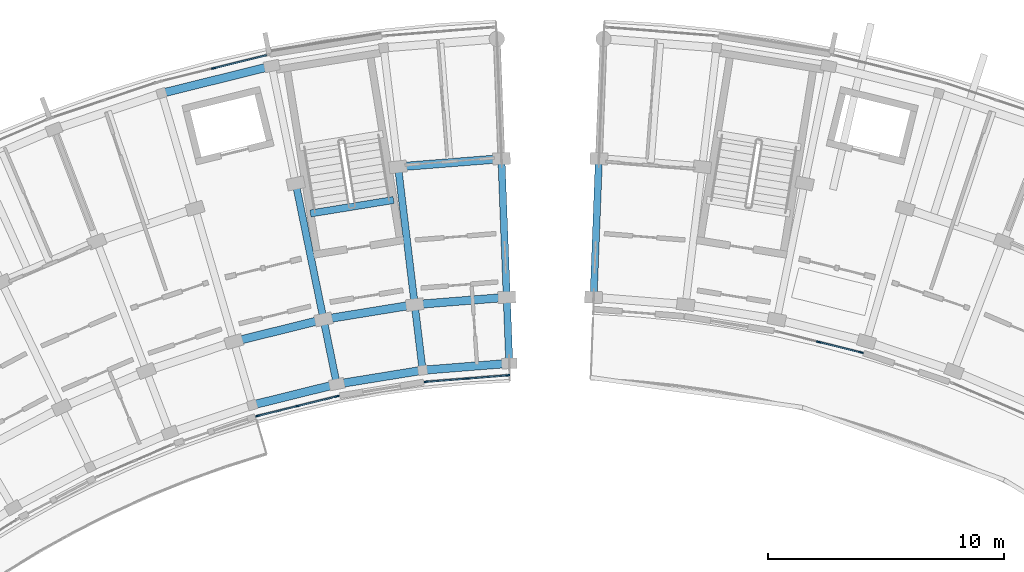
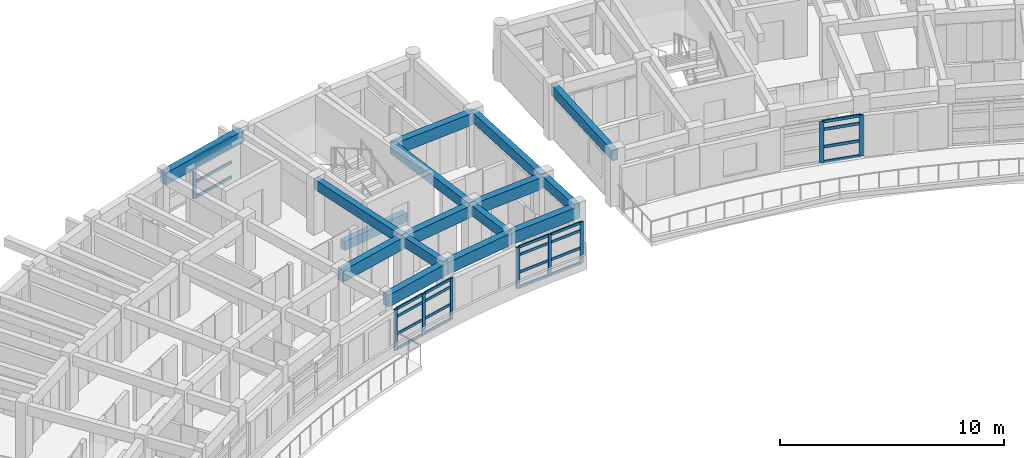
# One storey, part 5 of 38: 33 members, 16 beams, 4 elements without a shape of their own.
"""IFC4 building model written with IfcOpenShell, lengths in metres."""

from ifc_helpers import new_model, si_unit, direction, frame, origin, origin_2d, place, context, subcontext, project, spatial, rectangle, extrude, material, material_profile, profile_set, type_object, element, aggregate, save


model = new_model("IFC4")

# Units and contexts
model_context = context("Model", 3, precision=1e-05, world=origin(), true_north=direction((0.0, 1.0)))
body_context = subcontext(model_context, "Body", "Model", "MODEL_VIEW")
ifc_project = project(units=[si_unit("LENGTHUNIT", "METRE"), si_unit("AREAUNIT", "SQUARE_METRE"), si_unit("VOLUMEUNIT", "CUBIC_METRE"), si_unit("PLANEANGLEUNIT", "RADIAN"), si_unit("MASSUNIT", "GRAM", prefix="KILO")], contexts=[model_context])

# Site, building, storey
site_placement = place(None, origin())
site = spatial("IfcSite", under=ifc_project, at=site_placement, CompositionType="ELEMENT")
building_placement = place(site_placement, origin())
building = spatial("IfcBuilding", under=site, at=building_placement, Name="Zimvara Arc Housing Community", CompositionType="ELEMENT")
storey_placement = place(building_placement, frame((0.0, 0.0, 29.800048828125)))
storey = spatial("IfcBuildingStorey", under=building, at=storey_placement, Name="L09", CompositionType="ELEMENT", Elevation=29.800048828125)

# Beams
ifc_material_1 = material(Name="Concrete C40/50", Category="concrete")
ifc_material_profile_1 = material_profile(ifc_material_1, rectangle(XDim=0.300048828125, YDim=0.5, at=origin_2d()), Name="RC 300x500")
ifc_profile_set_1 = profile_set([ifc_material_profile_1], Name="Concrete C40/50")
beam_type_1 = type_object("IfcBeamType", Name="BM-RC-300x500", PredefinedType="BEAM", material=ifc_profile_set_1)
beam_1_placement = place(storey_placement, frame((38.3662109375, 96.509033203125, -0.25), z_axis=(-0.987080057935, -0.160227835371, 0.0), x_axis=(0.160227835371, -0.987080057935, 0.0)))
element("IfcBeam", 1, at=beam_1_placement, inside=storey, type_object=beam_type_1, Name="bm:stair_trim:ST-A2:L09:near", PredefinedType="BEAM", context=body_context, shape_type="SweptSolid", body=[
    extrude(rectangle(XDim=0.300048828125, YDim=0.5, at=origin_2d()), origin(), (0.0, 0.0, 1.0), 3.570068359375),
])
ifc_material_2 = material(Name="Concrete C40/50", Category="concrete")
ifc_material_profile_2 = material_profile(ifc_material_2, rectangle(XDim=0.300048828125, YDim=0.550048828125, at=origin_2d()), Name="RC 300x550")
ifc_profile_set_2 = profile_set([ifc_material_profile_2], Name="Concrete C40/50")
beam_type_2 = type_object("IfcBeamType", Name="BM-RC-300x550", PredefinedType="BEAM", material=ifc_profile_set_2)
beam_2_placement = place(storey_placement, frame((35.958251953125, 88.704833984375, 2.5849609375), z_axis=(-0.20037341071, 0.979719600845, 0.0), x_axis=(-0.979719600845, -0.20037341071, 0.0)))
element("IfcBeam", 2, at=beam_2_placement, inside=storey, type_object=beam_type_2, Name="bm:blkA:L09:rad:b8:r01", PredefinedType="BEAM", context=body_context, shape_type="SweptSolid", body=[
    extrude(rectangle(XDim=0.300048828125, YDim=0.550048828125, at=origin_2d()), origin(), (0.0, 0.0, 1.0), 2.800048828125),
])
beam_3_placement = place(storey_placement, frame((35.397216796875, 91.447998046875, 2.5849609375), z_axis=(-0.200417973989, 0.979710485655, 0.0), x_axis=(-0.979710485655, -0.200417973989, 0.0)))
element("IfcBeam", 3, at=beam_3_placement, inside=storey, type_object=beam_type_2, Name="bm:blkA:L09:rad:b8:r12", PredefinedType="BEAM", context=body_context, shape_type="SweptSolid", body=[
    extrude(rectangle(XDim=0.300048828125, YDim=0.550048828125, at=origin_2d()), origin(), (0.0, 0.0, 1.0), 5.880126953125),
])
beam_4_placement = place(storey_placement, frame((39.594970703125, 89.295166015625, 2.5849609375), z_axis=(-0.119719398078, 0.992807768767, 0.0), x_axis=(-0.992807768767, -0.119719398078, 0.0)))
element("IfcBeam", 4, at=beam_4_placement, inside=storey, type_object=beam_type_2, Name="bm:blkA:L09:rad:b9:r01", PredefinedType="BEAM", context=body_context, shape_type="SweptSolid", body=[
    extrude(rectangle(XDim=0.300048828125, YDim=0.550048828125, at=origin_2d()), origin(), (0.0, 0.0, 1.0), 2.7998046875),
])
beam_5_placement = place(storey_placement, frame((39.259765625, 92.074951171875, 2.5849609375), z_axis=(-0.119827921695, 0.992794676246, 0.0), x_axis=(-0.992794676246, -0.119827921695, 0.0)))
element("IfcBeam", 5, at=beam_5_placement, inside=storey, type_object=beam_type_2, Name="bm:blkA:L09:rad:b9:r12", PredefinedType="BEAM", context=body_context, shape_type="SweptSolid", body=[
    extrude(rectangle(XDim=0.300048828125, YDim=0.550048828125, at=origin_2d()), origin(), (0.0, 0.0, 1.0), 5.880126953125),
])
beam_6_placement = place(storey_placement, frame((43.267822265625, 89.586669921875, 2.5849609375), z_axis=(-0.038362804793, 0.999263876665, 0.0), x_axis=(-0.999263876665, -0.038362804793, 0.0)))
element("IfcBeam", 6, at=beam_6_placement, inside=storey, type_object=beam_type_2, Name="bm:blkA:L09:rad:b10:r01", PredefinedType="BEAM", context=body_context, shape_type="SweptSolid", body=[
    extrude(rectangle(XDim=0.300048828125, YDim=0.550048828125, at=origin_2d()), origin(), (0.0, 0.0, 1.0), 2.800048828125),
])
for number, where, z_axis, x_axis, name in (
    (7, (43.160400390625, 92.384765625, 2.5849609375), (-0.038366147405, 0.999263748333, 0.0), (-0.999263748333, -0.038366147405, 0.0), "bm:blkA:L09:rad:b10:r12"),
    (8, (46.839599609375, 92.384765625, 2.5849609375), (0.038366147405, 0.999263748333, 0.0), (-0.999263748333, 0.038366147405, 0.0), "bm:blkB:L09:rad:b0:r12"),
):
    element("IfcBeam", number, at=place(storey_placement, frame(where, z_axis=z_axis, x_axis=x_axis)), inside=storey, type_object=beam_type_2, Name=name, PredefinedType="BEAM", context=body_context, shape_type="SweptSolid", body=[
        extrude(rectangle(XDim=0.300048828125, YDim=0.550048828125, at=origin_2d()), origin(), (0.0, 0.0, 1.0), 5.8798828125),
    ])
ifc_material_3 = material(Name="Concrete C40/50", Category="concrete")
ifc_material_profile_3 = material_profile(ifc_material_3, rectangle(XDim=0.35009765625, YDim=0.64990234375, at=origin_2d()), Name="RC 350x650")
ifc_profile_set_3 = profile_set([ifc_material_profile_3], Name="Concrete C40/50")
beam_type_3 = type_object("IfcBeamType", Name="BM-RC-350x650", PredefinedType="BEAM", material=ifc_profile_set_3)
beam_7_placement = place(storey_placement, frame((32.381591796875, 87.819580078125, 2.534912109375), z_axis=(0.970708886215, 0.240258731837, 0.0), x_axis=(-0.240258731837, 0.970708886215, 0.0)))
element("IfcBeam", 9, at=beam_7_placement, inside=storey, type_object=beam_type_3, Name="bm:blkA:L09:chord:r0:b7", PredefinedType="BEAM", context=body_context, shape_type="SweptSolid", body=[
    extrude(rectangle(XDim=0.35009765625, YDim=0.64990234375, at=origin_2d()), origin(), (0.0, 0.0, 1.0), 3.6845703125),
])
for number, where, z_axis, x_axis, name in (
    (10, (35.958251953125, 88.704833984375, 2.534912109375), (0.987079996944, 0.160228211104, 0.0), (-0.160228211104, 0.987079996944, 0.0), "bm:blkA:L09:chord:r0:b8"),
    (11, (39.594970703125, 89.295166015625, 2.534912109375), (0.996865226667, 0.079118391428, 0.0), (-0.079118391428, 0.996865226667, 0.0), "bm:blkA:L09:chord:r0:b9"),
):
    element("IfcBeam", number, at=place(storey_placement, frame(where, z_axis=z_axis, x_axis=x_axis)), inside=storey, type_object=beam_type_3, Name=name, PredefinedType="BEAM", context=body_context, shape_type="SweptSolid", body=[
        extrude(rectangle(XDim=0.35009765625, YDim=0.64990234375, at=origin_2d()), origin(), (0.0, 0.0, 1.0), 3.684326171875),
    ])
for number, where, z_axis, x_axis, name in (
    (12, (31.5986328125, 90.5078125, 2.534912109375), (0.970708671682, 0.240259598602, 0.0), (-0.240259598602, 0.970708671682, 0.0), "bm:blkA:L09:chord:r1:b7"),
    (13, (35.397216796875, 91.447998046875, 2.534912109375), (0.987081487371, 0.160219029111, 0.0), (-0.160219029111, 0.987081487371, 0.0), "bm:blkA:L09:chord:r1:b8"),
):
    element("IfcBeam", number, at=place(storey_placement, frame(where, z_axis=z_axis, x_axis=x_axis)), inside=storey, type_object=beam_type_3, Name=name, PredefinedType="BEAM", context=body_context, shape_type="SweptSolid", body=[
        extrude(rectangle(XDim=0.35009765625, YDim=0.64990234375, at=origin_2d()), origin(), (0.0, 0.0, 1.0), 3.9130859375),
    ])
beam_8_placement = place(storey_placement, frame((39.259765625, 92.074951171875, 2.534912109375), z_axis=(0.99686054795, 0.079177319606, 0.0), x_axis=(-0.079177319606, 0.99686054795, 0.0)))
element("IfcBeam", 14, at=beam_8_placement, inside=storey, type_object=beam_type_3, Name="bm:blkA:L09:chord:r1:b9", PredefinedType="BEAM", context=body_context, shape_type="SweptSolid", body=[
    extrude(rectangle(XDim=0.35009765625, YDim=0.64990234375, at=origin_2d()), origin(), (0.0, 0.0, 1.0), 3.912841796875),
])
beam_9_placement = place(storey_placement, frame((38.55517578125, 97.91259765625, 2.534912109375), z_axis=(0.996864209836, 0.079131202119, 0.0), x_axis=(-0.079131202119, 0.996864209836, 0.0)))
element("IfcBeam", 15, at=beam_9_placement, inside=storey, type_object=beam_type_3, Name="bm:blkA:L09:chord:r2:b9", PredefinedType="BEAM", context=body_context, shape_type="SweptSolid", body=[
    extrude(rectangle(XDim=0.35009765625, YDim=0.64990234375, at=origin_2d()), origin(), (0.0, 0.0, 1.0), 4.393310546875),
])
beam_10_placement = place(storey_placement, frame((28.533447265625, 101.030517578125, 2.534912109375), z_axis=(0.970716235341, 0.240229037474, 0.0), x_axis=(-0.240229037474, 0.970716235341, 0.0)))
element("IfcBeam", 16, at=beam_10_placement, inside=storey, type_object=beam_type_3, Name="bm:blkA:L09:chord:r3:b7", PredefinedType="BEAM", context=body_context, shape_type="SweptSolid", body=[
    extrude(rectangle(XDim=0.35009765625, YDim=0.64990234375, at=origin_2d()), origin(), (0.0, 0.0, 1.0), 4.80810546875),
])

# Curtain wall, members
ifc_material_4 = material(Name="Anodised Aluminium AW-6063", Category="aluminium")
curtain_wall_type_1 = type_object("IfcCurtainWallType", Name="CW-SYS-06", PredefinedType="USERDEFINED", material=ifc_material_4)
curtain_wall_1_placement = place(storey_placement, origin())
curtain_wall_1 = element("IfcCurtainWall", 17, at=curtain_wall_1_placement, inside=storey, type_object=curtain_wall_type_1, Name="cw:blkA:L09:in:b7", ObjectType="CURTAIN WALL", PredefinedType="USERDEFINED")
ifc_material_5 = material(Name="Anodised Aluminium AW-6063", Category="aluminium")
ifc_material_profile_4 = material_profile(ifc_material_5, rectangle(XDim=0.06494140625, YDim=0.179931640625, at=origin_2d()), Name="ALU 65x180")
ifc_profile_set_4 = profile_set([ifc_material_profile_4], Name="Anodised Aluminium AW-6063")
member_type_1 = type_object("IfcMemberType", Name="CWM-65x150", PredefinedType="MULLION", material=ifc_profile_set_4)
member_1_placement = place(storey_placement, frame((32.611328125, 87.36181640625, 0.0), z_axis=(0.0, 0.0, 1.0), x_axis=(-0.240227815706, 0.970716537698, 0.0)))
member_1 = element("IfcMember", 18, at=member_1_placement, type_object=member_type_1, Name="CW06 mullion 1", PredefinedType="MULLION", context=body_context, shape_type="SweptSolid", body=[
    extrude(rectangle(XDim=0.06494140625, YDim=0.179931640625, at=origin_2d()), origin(), (0.0, 0.0, 1.0), 2.25),
])
member_2_placement = place(storey_placement, frame((34.2900390625, 87.77734375, 0.0), z_axis=(0.0, 0.0, 1.0), x_axis=(-0.240227815706, 0.970716537698, 0.0)))
member_2 = element("IfcMember", 19, at=member_2_placement, type_object=member_type_1, Name="CW06 mullion 2", PredefinedType="MULLION", context=body_context, shape_type="SweptSolid", body=[
    extrude(rectangle(XDim=0.06494140625, YDim=0.179931640625, at=origin_2d()), origin(), (0.0, 0.0, 1.0), 2.25),
])
member_3_placement = place(storey_placement, frame((35.96875, 88.192626953125, 0.0), z_axis=(0.0, 0.0, 1.0), x_axis=(-0.240227815706, 0.970716537698, 0.0)))
member_3 = element("IfcMember", 20, at=member_3_placement, type_object=member_type_1, Name="CW06 mullion 3", PredefinedType="MULLION", context=body_context, shape_type="SweptSolid", body=[
    extrude(rectangle(XDim=0.06494140625, YDim=0.179931640625, at=origin_2d()), origin(), (0.0, 0.0, 1.0), 2.25),
])

ifc_material_6 = material(Name="Anodised Aluminium AW-6063", Category="aluminium")
curtain_wall_type_2 = type_object("IfcCurtainWallType", Name="CW-SYS-08", PredefinedType="USERDEFINED", material=ifc_material_6)
curtain_wall_2_placement = place(storey_placement, origin())
curtain_wall_2 = element("IfcCurtainWall", 21, at=curtain_wall_2_placement, inside=storey, type_object=curtain_wall_type_2, Name="cw:blkA:L09:in:b9", ObjectType="CURTAIN WALL", PredefinedType="USERDEFINED")
member_4_placement = place(storey_placement, frame((39.7470703125, 88.805908203125, 0.0), z_axis=(0.0, 0.0, 1.0), x_axis=(-0.079154709897, 0.996862343506, 0.0)))
member_4 = element("IfcMember", 22, at=member_4_placement, type_object=member_type_1, Name="CW08 mullion 1", PredefinedType="MULLION", context=body_context, shape_type="SweptSolid", body=[
    extrude(rectangle(XDim=0.06494140625, YDim=0.179931640625, at=origin_2d()), origin(), (0.0, 0.0, 1.0), 2.25),
])
member_5_placement = place(storey_placement, frame((41.470947265625, 88.94287109375, 0.0), z_axis=(0.0, 0.0, 1.0), x_axis=(-0.079154709897, 0.996862343506, 0.0)))
member_5 = element("IfcMember", 23, at=member_5_placement, type_object=member_type_1, Name="CW08 mullion 2", PredefinedType="MULLION", context=body_context, shape_type="SweptSolid", body=[
    extrude(rectangle(XDim=0.06494140625, YDim=0.179931640625, at=origin_2d()), origin(), (0.0, 0.0, 1.0), 2.25),
])
member_6_placement = place(storey_placement, frame((43.19482421875, 89.079833984375, 0.0), z_axis=(0.0, 0.0, 1.0), x_axis=(-0.079154709897, 0.996862343506, 0.0)))
member_6 = element("IfcMember", 24, at=member_6_placement, type_object=member_type_1, Name="CW08 mullion 3", PredefinedType="MULLION", context=body_context, shape_type="SweptSolid", body=[
    extrude(rectangle(XDim=0.06494140625, YDim=0.179931640625, at=origin_2d()), origin(), (0.0, 0.0, 1.0), 2.25),
])

# Curtain wall, member
ifc_material_7 = material(Name="Anodised Aluminium AW-6063", Category="aluminium")
curtain_wall_type_3 = type_object("IfcCurtainWallType", Name="CW-SYS-05", PredefinedType="USERDEFINED", material=ifc_material_7)
curtain_wall_3_placement = place(storey_placement, origin())
curtain_wall_3 = element("IfcCurtainWall", 25, at=curtain_wall_3_placement, inside=storey, type_object=curtain_wall_type_3, Name="cw:blkA:L09:out:b7", ObjectType="CURTAIN WALL", PredefinedType="USERDEFINED")
ifc_material_8 = material(Name="Anodised Aluminium AW-6063", Category="aluminium")
ifc_material_profile_5 = material_profile(ifc_material_8, rectangle(XDim=0.06494140625, YDim=0.195068359375, at=origin_2d()), Name="ALU 65x195")
ifc_profile_set_5 = profile_set([ifc_material_profile_5], Name="Anodised Aluminium AW-6063")
member_type_2 = type_object("IfcMemberType", Name="CWM-65x180", PredefinedType="MULLION", material=ifc_profile_set_5)
member_7_placement = place(storey_placement, frame((30.7470703125, 102.093017578125, 0.0), z_axis=(0.0, 0.0, 1.0), x_axis=(-0.240229711131, 0.970716068627, 0.0)))
member_7 = element("IfcMember", 26, at=member_7_placement, type_object=member_type_2, Name="CW05 mullion 2", PredefinedType="MULLION", context=body_context, shape_type="SweptSolid", body=[
    extrude(rectangle(XDim=0.06494140625, YDim=0.195068359375, at=origin_2d()), origin(), (0.0, 0.0, 1.0), 2.25),
])

# Curtain wall, members
curtain_wall_4_placement = place(storey_placement, origin())
curtain_wall_4 = element("IfcCurtainWall", 27, at=curtain_wall_4_placement, inside=storey, type_object=curtain_wall_type_3, Name="cw:blkB:L09:in:b2", ObjectType="CURTAIN WALL", PredefinedType="USERDEFINED")
member_8_placement = place(storey_placement, frame((56.382080078125, 90.492919921875, 0.0), z_axis=(0.0, 0.0, 1.0), x_axis=(0.240229186313, 0.970716198507, 0.0)))
member_8 = element("IfcMember", 28, at=member_8_placement, type_object=member_type_2, Name="CW05 mullion 2", PredefinedType="MULLION", context=body_context, shape_type="SweptSolid", body=[
    extrude(rectangle(XDim=0.06494140625, YDim=0.195068359375, at=origin_2d()), origin(), (0.0, 0.0, 1.0), 2.25),
])
member_9_placement = place(storey_placement, frame((58.171630859375, 90.050048828125, 0.0), z_axis=(0.0, 0.0, 1.0), x_axis=(0.240229186313, 0.970716198507, 0.0)))
member_9 = element("IfcMember", 29, at=member_9_placement, type_object=member_type_2, Name="CW05 mullion 3", PredefinedType="MULLION", context=body_context, shape_type="SweptSolid", body=[
    extrude(rectangle(XDim=0.06494140625, YDim=0.195068359375, at=origin_2d()), origin(), (0.0, 0.0, 1.0), 2.25),
])

# Member
ifc_material_9 = material(Name="Anodised Aluminium AW-6063", Category="aluminium")
ifc_material_profile_6 = material_profile(ifc_material_9, rectangle(XDim=0.06494140625, YDim=0.139892578125, at=origin_2d()), Name="ALU 65x140")
ifc_profile_set_6 = profile_set([ifc_material_profile_6], Name="Anodised Aluminium AW-6063")
member_type_3 = type_object("IfcMemberType", Name="CWT-65x120", PredefinedType="USERDEFINED", material=ifc_profile_set_6)
member_10_placement = place(storey_placement, frame((32.642822265625, 87.36962890625, 0.032470703125), z_axis=(0.970700809973, 0.24029135964, 0.0), x_axis=(-0.24029135964, 0.970700809973, 0.0)))
member_10 = element("IfcMember", 30, at=member_10_placement, type_object=member_type_3, Name="CW06 transom 1.1", ObjectType="TRANSOM", PredefinedType="USERDEFINED", context=body_context, shape_type="SweptSolid", body=[
    extrude(rectangle(XDim=0.06494140625, YDim=0.139892578125, at=origin_2d()), origin(), (0.0, 0.0, 1.0), 1.664306640625),
])

member_11_placement = place(storey_placement, frame((32.642822265625, 87.36962890625, 0.849853515625), z_axis=(0.970700809973, 0.24029135964, 0.0), x_axis=(-0.24029135964, 0.970700809973, 0.0)))
member_11 = element("IfcMember", 31, at=member_11_placement, type_object=member_type_3, Name="CW06 transom 1.2", ObjectType="TRANSOM", PredefinedType="USERDEFINED", context=body_context, shape_type="SweptSolid", body=[
    extrude(rectangle(XDim=0.06494140625, YDim=0.139892578125, at=origin_2d()), origin(), (0.0, 0.0, 1.0), 1.664306640625),
])

member_12_placement = place(storey_placement, frame((32.642822265625, 87.36962890625, 1.800048828125), z_axis=(0.970700809973, 0.24029135964, 0.0), x_axis=(-0.24029135964, 0.970700809973, 0.0)))
member_12 = element("IfcMember", 32, at=member_12_placement, type_object=member_type_3, Name="CW06 transom 1.3", ObjectType="TRANSOM", PredefinedType="USERDEFINED", context=body_context, shape_type="SweptSolid", body=[
    extrude(rectangle(XDim=0.06494140625, YDim=0.139892578125, at=origin_2d()), origin(), (0.0, 0.0, 1.0), 1.664306640625),
])

member_13_placement = place(storey_placement, frame((32.642822265625, 87.36962890625, 2.217529296875), z_axis=(0.970700809973, 0.24029135964, 0.0), x_axis=(-0.24029135964, 0.970700809973, 0.0)))
member_13 = element("IfcMember", 33, at=member_13_placement, type_object=member_type_3, Name="CW06 transom 1.4", ObjectType="TRANSOM", PredefinedType="USERDEFINED", context=body_context, shape_type="SweptSolid", body=[
    extrude(rectangle(XDim=0.06494140625, YDim=0.139892578125, at=origin_2d()), origin(), (0.0, 0.0, 1.0), 1.664306640625),
])

member_14_placement = place(storey_placement, frame((34.321533203125, 87.78515625, 0.032470703125), z_axis=(0.970735018799, 0.240153124645, 0.0), x_axis=(-0.240153124645, 0.970735018799, 0.0)))
member_14 = element("IfcMember", 34, at=member_14_placement, type_object=member_type_3, Name="CW06 transom 2.1", ObjectType="TRANSOM", PredefinedType="USERDEFINED", context=body_context, shape_type="SweptSolid", body=[
    extrude(rectangle(XDim=0.06494140625, YDim=0.139892578125, at=origin_2d()), origin(), (0.0, 0.0, 1.0), 1.6640625),
])

member_15_placement = place(storey_placement, frame((34.321533203125, 87.78515625, 0.849853515625), z_axis=(0.970735018799, 0.240153124645, 0.0), x_axis=(-0.240153124645, 0.970735018799, 0.0)))
member_15 = element("IfcMember", 35, at=member_15_placement, type_object=member_type_3, Name="CW06 transom 2.2", ObjectType="TRANSOM", PredefinedType="USERDEFINED", context=body_context, shape_type="SweptSolid", body=[
    extrude(rectangle(XDim=0.06494140625, YDim=0.139892578125, at=origin_2d()), origin(), (0.0, 0.0, 1.0), 1.6640625),
])

member_16_placement = place(storey_placement, frame((34.321533203125, 87.78515625, 1.800048828125), z_axis=(0.970735018799, 0.240153124645, 0.0), x_axis=(-0.240153124645, 0.970735018799, 0.0)))
member_16 = element("IfcMember", 36, at=member_16_placement, type_object=member_type_3, Name="CW06 transom 2.3", ObjectType="TRANSOM", PredefinedType="USERDEFINED", context=body_context, shape_type="SweptSolid", body=[
    extrude(rectangle(XDim=0.06494140625, YDim=0.139892578125, at=origin_2d()), origin(), (0.0, 0.0, 1.0), 1.6640625),
])

member_17_placement = place(storey_placement, frame((34.321533203125, 87.78515625, 2.217529296875), z_axis=(0.970735018799, 0.240153124645, 0.0), x_axis=(-0.240153124645, 0.970735018799, 0.0)))
member_17 = element("IfcMember", 37, at=member_17_placement, type_object=member_type_3, Name="CW06 transom 2.4", ObjectType="TRANSOM", PredefinedType="USERDEFINED", context=body_context, shape_type="SweptSolid", body=[
    extrude(rectangle(XDim=0.06494140625, YDim=0.139892578125, at=origin_2d()), origin(), (0.0, 0.0, 1.0), 1.6640625),
])

aggregate(curtain_wall_1, [member_1, member_2, member_3, member_10, member_11, member_12, member_13, member_14, member_15, member_16, member_17])

member_18_placement = place(storey_placement, frame((39.779541015625, 88.80859375, 0.032470703125), z_axis=(0.99685804311, 0.079208849806, 0.0), x_axis=(-0.079208849806, 0.99685804311, 0.0)))
member_18 = element("IfcMember", 38, at=member_18_placement, type_object=member_type_3, Name="CW08 transom 1.1", ObjectType="TRANSOM", PredefinedType="USERDEFINED", context=body_context, shape_type="SweptSolid", body=[
    extrude(rectangle(XDim=0.06494140625, YDim=0.139892578125, at=origin_2d()), origin(), (0.0, 0.0, 1.0), 1.664306640625),
])

member_19_placement = place(storey_placement, frame((39.779541015625, 88.80859375, 0.849853515625), z_axis=(0.99685804311, 0.079208849806, 0.0), x_axis=(-0.079208849806, 0.99685804311, 0.0)))
member_19 = element("IfcMember", 39, at=member_19_placement, type_object=member_type_3, Name="CW08 transom 1.2", ObjectType="TRANSOM", PredefinedType="USERDEFINED", context=body_context, shape_type="SweptSolid", body=[
    extrude(rectangle(XDim=0.06494140625, YDim=0.139892578125, at=origin_2d()), origin(), (0.0, 0.0, 1.0), 1.664306640625),
])

member_20_placement = place(storey_placement, frame((39.779541015625, 88.80859375, 1.800048828125), z_axis=(0.99685804311, 0.079208849806, 0.0), x_axis=(-0.079208849806, 0.99685804311, 0.0)))
member_20 = element("IfcMember", 40, at=member_20_placement, type_object=member_type_3, Name="CW08 transom 1.3", ObjectType="TRANSOM", PredefinedType="USERDEFINED", context=body_context, shape_type="SweptSolid", body=[
    extrude(rectangle(XDim=0.06494140625, YDim=0.139892578125, at=origin_2d()), origin(), (0.0, 0.0, 1.0), 1.664306640625),
])

member_21_placement = place(storey_placement, frame((39.779541015625, 88.80859375, 2.217529296875), z_axis=(0.99685804311, 0.079208849806, 0.0), x_axis=(-0.079208849806, 0.99685804311, 0.0)))
member_21 = element("IfcMember", 41, at=member_21_placement, type_object=member_type_3, Name="CW08 transom 1.4", ObjectType="TRANSOM", PredefinedType="USERDEFINED", context=body_context, shape_type="SweptSolid", body=[
    extrude(rectangle(XDim=0.06494140625, YDim=0.139892578125, at=origin_2d()), origin(), (0.0, 0.0, 1.0), 1.664306640625),
])

member_22_placement = place(storey_placement, frame((41.50341796875, 88.945556640625, 0.032470703125), z_axis=(0.996869614678, 0.079063084507, 0.0), x_axis=(-0.079063084507, 0.996869614678, 0.0)))
member_22 = element("IfcMember", 42, at=member_22_placement, type_object=member_type_3, Name="CW08 transom 2.1", ObjectType="TRANSOM", PredefinedType="USERDEFINED", context=body_context, shape_type="SweptSolid", body=[
    extrude(rectangle(XDim=0.06494140625, YDim=0.139892578125, at=origin_2d()), origin(), (0.0, 0.0, 1.0), 1.664306640625),
])

member_23_placement = place(storey_placement, frame((41.50341796875, 88.945556640625, 0.849853515625), z_axis=(0.996869614678, 0.079063084507, 0.0), x_axis=(-0.079063084507, 0.996869614678, 0.0)))
member_23 = element("IfcMember", 43, at=member_23_placement, type_object=member_type_3, Name="CW08 transom 2.2", ObjectType="TRANSOM", PredefinedType="USERDEFINED", context=body_context, shape_type="SweptSolid", body=[
    extrude(rectangle(XDim=0.06494140625, YDim=0.139892578125, at=origin_2d()), origin(), (0.0, 0.0, 1.0), 1.664306640625),
])

member_24_placement = place(storey_placement, frame((41.50341796875, 88.945556640625, 1.800048828125), z_axis=(0.996869614678, 0.079063084507, 0.0), x_axis=(-0.079063084507, 0.996869614678, 0.0)))
member_24 = element("IfcMember", 44, at=member_24_placement, type_object=member_type_3, Name="CW08 transom 2.3", ObjectType="TRANSOM", PredefinedType="USERDEFINED", context=body_context, shape_type="SweptSolid", body=[
    extrude(rectangle(XDim=0.06494140625, YDim=0.139892578125, at=origin_2d()), origin(), (0.0, 0.0, 1.0), 1.664306640625),
])

member_25_placement = place(storey_placement, frame((41.50341796875, 88.945556640625, 2.217529296875), z_axis=(0.996869614678, 0.079063084507, 0.0), x_axis=(-0.079063084507, 0.996869614678, 0.0)))
member_25 = element("IfcMember", 45, at=member_25_placement, type_object=member_type_3, Name="CW08 transom 2.4", ObjectType="TRANSOM", PredefinedType="USERDEFINED", context=body_context, shape_type="SweptSolid", body=[
    extrude(rectangle(XDim=0.06494140625, YDim=0.139892578125, at=origin_2d()), origin(), (0.0, 0.0, 1.0), 1.664306640625),
])

aggregate(curtain_wall_2, [member_4, member_5, member_6, member_18, member_19, member_20, member_21, member_22, member_23, member_24, member_25])

ifc_material_10 = material(Name="Anodised Aluminium AW-6063", Category="aluminium")
ifc_material_profile_7 = material_profile(ifc_material_10, rectangle(XDim=0.06494140625, YDim=0.155029296875, at=origin_2d()), Name="ALU 65x155")
ifc_profile_set_7 = profile_set([ifc_material_profile_7], Name="Anodised Aluminium AW-6063")
member_type_4 = type_object("IfcMemberType", Name="CWT-65x140", PredefinedType="USERDEFINED", material=ifc_profile_set_7)
member_26_placement = place(storey_placement, frame((30.77880859375, 102.100830078125, 0.032470703125), z_axis=(0.970703721793, 0.240279596507, 0.0), x_axis=(-0.240279596507, 0.970703721793, 0.0)))
member_26 = element("IfcMember", 46, at=member_26_placement, type_object=member_type_4, Name="CW05 transom 2.1", ObjectType="TRANSOM", PredefinedType="USERDEFINED", context=body_context, shape_type="SweptSolid", body=[
    extrude(rectangle(XDim=0.06494140625, YDim=0.155029296875, at=origin_2d()), origin(), (0.0, 0.0, 1.0), 2.266845703125),
])

member_27_placement = place(storey_placement, frame((30.77880859375, 102.100830078125, 0.849853515625), z_axis=(0.970703721793, 0.240279596507, 0.0), x_axis=(-0.240279596507, 0.970703721793, 0.0)))
member_27 = element("IfcMember", 47, at=member_27_placement, type_object=member_type_4, Name="CW05 transom 2.2", ObjectType="TRANSOM", PredefinedType="USERDEFINED", context=body_context, shape_type="SweptSolid", body=[
    extrude(rectangle(XDim=0.06494140625, YDim=0.155029296875, at=origin_2d()), origin(), (0.0, 0.0, 1.0), 2.266845703125),
])

member_28_placement = place(storey_placement, frame((30.77880859375, 102.100830078125, 1.800048828125), z_axis=(0.970703721793, 0.240279596507, 0.0), x_axis=(-0.240279596507, 0.970703721793, 0.0)))
member_28 = element("IfcMember", 48, at=member_28_placement, type_object=member_type_4, Name="CW05 transom 2.3", ObjectType="TRANSOM", PredefinedType="USERDEFINED", context=body_context, shape_type="SweptSolid", body=[
    extrude(rectangle(XDim=0.06494140625, YDim=0.155029296875, at=origin_2d()), origin(), (0.0, 0.0, 1.0), 2.266845703125),
])

member_29_placement = place(storey_placement, frame((30.77880859375, 102.100830078125, 2.217529296875), z_axis=(0.970703721793, 0.240279596507, 0.0), x_axis=(-0.240279596507, 0.970703721793, 0.0)))
member_29 = element("IfcMember", 49, at=member_29_placement, type_object=member_type_4, Name="CW05 transom 2.4", ObjectType="TRANSOM", PredefinedType="USERDEFINED", context=body_context, shape_type="SweptSolid", body=[
    extrude(rectangle(XDim=0.06494140625, YDim=0.155029296875, at=origin_2d()), origin(), (0.0, 0.0, 1.0), 2.266845703125),
])

aggregate(curtain_wall_3, [member_7, member_26, member_27, member_28, member_29])

member_30_placement = place(storey_placement, frame((56.41357421875, 90.485107421875, 0.032470703125), z_axis=(0.970721060666, -0.240209538485, 0.0), x_axis=(0.240209538485, 0.970721060666, 0.0)))
member_30 = element("IfcMember", 50, at=member_30_placement, type_object=member_type_4, Name="CW05 transom 2.1", ObjectType="TRANSOM", PredefinedType="USERDEFINED", context=body_context, shape_type="SweptSolid", body=[
    extrude(rectangle(XDim=0.06494140625, YDim=0.155029296875, at=origin_2d()), origin(), (0.0, 0.0, 1.0), 1.778564453125),
])

member_31_placement = place(storey_placement, frame((56.41357421875, 90.485107421875, 0.849853515625), z_axis=(0.970721060666, -0.240209538485, 0.0), x_axis=(0.240209538485, 0.970721060666, 0.0)))
member_31 = element("IfcMember", 51, at=member_31_placement, type_object=member_type_4, Name="CW05 transom 2.2", ObjectType="TRANSOM", PredefinedType="USERDEFINED", context=body_context, shape_type="SweptSolid", body=[
    extrude(rectangle(XDim=0.06494140625, YDim=0.155029296875, at=origin_2d()), origin(), (0.0, 0.0, 1.0), 1.778564453125),
])

member_32_placement = place(storey_placement, frame((56.41357421875, 90.485107421875, 1.800048828125), z_axis=(0.970721060666, -0.240209538485, 0.0), x_axis=(0.240209538485, 0.970721060666, 0.0)))
member_32 = element("IfcMember", 52, at=member_32_placement, type_object=member_type_4, Name="CW05 transom 2.3", ObjectType="TRANSOM", PredefinedType="USERDEFINED", context=body_context, shape_type="SweptSolid", body=[
    extrude(rectangle(XDim=0.06494140625, YDim=0.155029296875, at=origin_2d()), origin(), (0.0, 0.0, 1.0), 1.778564453125),
])

member_33_placement = place(storey_placement, frame((56.41357421875, 90.485107421875, 2.217529296875), z_axis=(0.970721060666, -0.240209538485, 0.0), x_axis=(0.240209538485, 0.970721060666, 0.0)))
member_33 = element("IfcMember", 53, at=member_33_placement, type_object=member_type_4, Name="CW05 transom 2.4", ObjectType="TRANSOM", PredefinedType="USERDEFINED", context=body_context, shape_type="SweptSolid", body=[
    extrude(rectangle(XDim=0.06494140625, YDim=0.155029296875, at=origin_2d()), origin(), (0.0, 0.0, 1.0), 1.778564453125),
])

aggregate(curtain_wall_4, [member_8, member_9, member_30, member_31, member_32, member_33])

save(model, "model.ifc")
